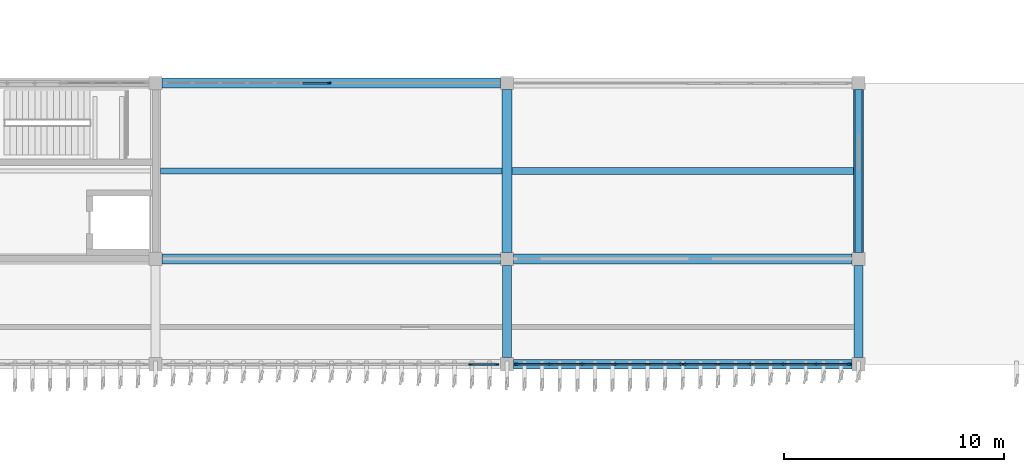
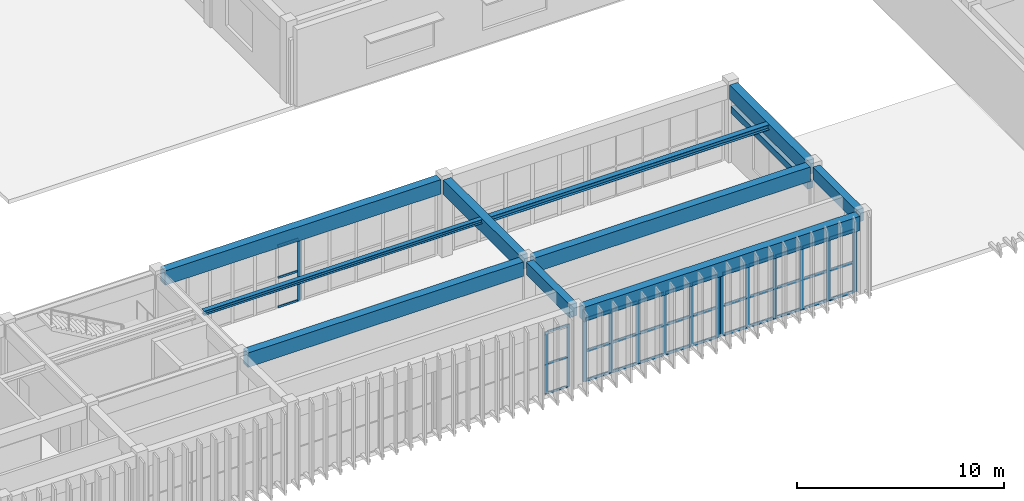
# One storey, part 36 of 76: 51 members, 11 beams, 4 elements without a shape of their own.
"""IFC4 building model written with IfcOpenShell, lengths in metres."""

from ifc_helpers import new_model, si_unit, direction, frame, origin, origin_2d, place, context, subcontext, project, spatial, rectangle, i_section, extrude, material, layer, layer_set, material_profile, profile_set, type_object, element, aggregate, save


model = new_model("IFC4")

# Units and contexts
model_context = context("Model", 3, precision=1e-05, world=origin(), true_north=direction((0.0, 1.0)))
body_context = subcontext(model_context, "Body", "Model", "MODEL_VIEW")
ifc_project = project(units=[si_unit("LENGTHUNIT", "METRE"), si_unit("AREAUNIT", "SQUARE_METRE"), si_unit("VOLUMEUNIT", "CUBIC_METRE"), si_unit("PLANEANGLEUNIT", "RADIAN"), si_unit("MASSUNIT", "GRAM", prefix="KILO")], contexts=[model_context])

# Site, building, storey
site_placement = place(None, origin())
site = spatial("IfcSite", under=ifc_project, at=site_placement, CompositionType="ELEMENT")
building_placement = place(site_placement, origin())
building = spatial("IfcBuilding", under=site, at=building_placement, Name="Cinchona Park Media Centre", CompositionType="ELEMENT")
storey_placement = place(building_placement, frame((0.0, 0.0, 15.60009765625)))
storey = spatial("IfcBuildingStorey", under=building, at=storey_placement, Name="L03", CompositionType="ELEMENT", Elevation=15.60009765625)

# Beams
ifc_material_1 = material(Name="Concrete C35/45", Category="concrete")
ifc_material_profile_1 = material_profile(ifc_material_1, rectangle(XDim=0.39990234375, YDim=0.75, at=origin_2d()), Name="RB 400X750")
ifc_profile_set_1 = profile_set([ifc_material_profile_1], Name="Concrete C35/45")
beam_type_1 = type_object("IfcBeamType", Name="BEAM-B01-RB400X750", PredefinedType="BEAM", material=ifc_profile_set_1)
for number, where, z_axis, x_axis, name in (
    (1, (110.800048828125, 75.10009765625, 4.204833984375), (0.0, 1.0, 0.0), (-1.0, 0.0, 0.0), "Girder B01 L03"),
    (2, (126.800048828125, 75.10009765625, 4.204833984375), (0.0, 1.0, 0.0), (-1.0, 0.0, 0.0), "Girder B01 L03"),
):
    element("IfcBeam", number, at=place(storey_placement, frame(where, z_axis=z_axis, x_axis=x_axis)), inside=storey, type_object=beam_type_1, Name=name, PredefinedType="BEAM", context=body_context, shape_type="SweptSolid", body=[
        extrude(rectangle(XDim=0.39990234375, YDim=0.75, at=origin_2d()), origin(), (0.0, 0.0, 1.0), 4.199951171875),
    ])
ifc_material_2 = material(Name="Concrete C35/45", Category="concrete")
ifc_material_profile_2 = material_profile(ifc_material_2, rectangle(XDim=0.449951171875, YDim=0.85009765625, at=origin_2d()), Name="RB 450X850")
ifc_profile_set_2 = profile_set([ifc_material_profile_2], Name="Concrete C35/45")
beam_type_2 = type_object("IfcBeamType", Name="BEAM-B02-RB450X850", PredefinedType="BEAM", material=ifc_profile_set_2)
for number, where, z_axis, x_axis, name in (
    (3, (111.10009765625, 74.800048828125, 4.15478515625), (1.0, 0.0, 0.0), (0.0, 1.0, 0.0), "Beam B02 L03"),
    (4, (95.10009765625, 79.60009765625, 4.15478515625), (1.0, 0.0, 0.0), (0.0, 1.0, 0.0), "Beam B02 L03"),
    (5, (111.10009765625, 79.60009765625, 4.15478515625), (1.0, 0.0, 0.0), (0.0, 1.0, 0.0), "Beam B02 L03"),
    (6, (95.10009765625, 87.60009765625, 4.15478515625), (1.0, 0.0, 0.0), (0.0, 1.0, 0.0), "Beam B02 L03"),
):
    element("IfcBeam", number, at=place(storey_placement, frame(where, z_axis=z_axis, x_axis=x_axis)), inside=storey, type_object=beam_type_2, Name=name, PredefinedType="BEAM", context=body_context, shape_type="SweptSolid", body=[
        extrude(rectangle(XDim=0.449951171875, YDim=0.85009765625, at=origin_2d()), origin(), (0.0, 0.0, 1.0), 15.39990234375),
    ])
for number, where, z_axis, x_axis, name in (
    (7, (110.800048828125, 79.89990234375, 4.15478515625), (0.0, 1.0, 0.0), (-1.0, 0.0, 0.0), "Girder B02 L03"),
    (8, (126.800048828125, 79.89990234375, 4.15478515625), (0.0, 1.0, 0.0), (-1.0, 0.0, 0.0), "Girder B02 L03"),
):
    element("IfcBeam", number, at=place(storey_placement, frame(where, z_axis=z_axis, x_axis=x_axis)), inside=storey, type_object=beam_type_2, Name=name, PredefinedType="BEAM", context=body_context, shape_type="SweptSolid", body=[
        extrude(rectangle(XDim=0.449951171875, YDim=0.85009765625, at=origin_2d()), origin(), (0.0, 0.0, 1.0), 7.400146484375),
    ])
ifc_material_3 = material(Name="Steel S355", Category="steel")
ifc_material_profile_3 = material_profile(ifc_material_3, i_section(OverallWidth=0.304931640625, OverallDepth=0.30810546875, WebThickness=0.010009765625, FlangeThickness=0.015380859375, at=origin_2d()), Name="W310X97")
ifc_profile_set_3 = profile_set([ifc_material_profile_3], Name="Steel S355")
beam_type_3 = type_object("IfcBeamType", Name="BEAM-J02-W310X97", PredefinedType="JOIST", material=ifc_profile_set_3)
beam_1_placement = place(storey_placement, frame((111.02490234375, 83.60009765625, 4.42578125), z_axis=(1.0, 0.0, 0.0), x_axis=(0.0, 1.0, 0.0)))
element("IfcBeam", 9, at=beam_1_placement, inside=storey, type_object=beam_type_3, Name="Floor Joist J02 L03", PredefinedType="JOIST", context=body_context, shape_type="SweptSolid", body=[
    extrude(i_section(OverallWidth=0.304931640625, OverallDepth=0.30810546875, WebThickness=0.010009765625, FlangeThickness=0.015380859375, at=origin_2d()), origin(), (0.0, 0.0, 1.0), 15.550048828125),
])
ifc_material_4 = material(Name="Steel S355", Category="steel")
ifc_material_profile_4 = material_profile(ifc_material_4, i_section(OverallWidth=0.25390625, OverallDepth=0.2529296875, WebThickness=0.008544921875, FlangeThickness=0.01416015625, at=origin_2d()), Name="W250X73")
ifc_profile_set_4 = profile_set([ifc_material_profile_4], Name="Steel S355")
beam_type_4 = type_object("IfcBeamType", Name="BEAM-J04-W250X73", PredefinedType="JOIST", material=ifc_profile_set_4)
beam_2_placement = place(storey_placement, frame((95.02490234375, 83.60009765625, 4.453369140625), z_axis=(1.0, 0.0, 0.0), x_axis=(0.0, 1.0, 0.0)))
element("IfcBeam", 10, at=beam_2_placement, inside=storey, type_object=beam_type_4, Name="Floor Joist J04 L03", PredefinedType="JOIST", context=body_context, shape_type="SweptSolid", body=[
    extrude(i_section(OverallWidth=0.25390625, OverallDepth=0.2529296875, WebThickness=0.008544921875, FlangeThickness=0.01416015625, at=origin_2d()), origin(), (0.0, 0.0, 1.0), 15.550048828125),
])
ifc_material_5 = material(Name="Concrete C35/45", Category="concrete")
ifc_material_profile_5 = material_profile(ifc_material_5, rectangle(XDim=0.300048828125, YDim=0.39990234375, at=origin_2d()), Name="RL 300X400")
ifc_profile_set_5 = profile_set([ifc_material_profile_5], Name="Concrete C35/45")
beam_type_5 = type_object("IfcBeamType", Name="BEAM-LN02-RL300X400", PredefinedType="LINTEL", material=ifc_profile_set_5)
beam_3_placement = place(storey_placement, frame((126.800048828125, 87.320068359375, 3.099853515625), z_axis=(0.0, -1.0, 0.0), x_axis=(1.0, 0.0, 0.0)))
element("IfcBeam", 11, at=beam_3_placement, inside=storey, type_object=beam_type_5, Name="Window Lintel LN02", PredefinedType="LINTEL", context=body_context, shape_type="SweptSolid", body=[
    extrude(rectangle(XDim=0.300048828125, YDim=0.39990234375, at=origin_2d()), origin(), (0.0, 0.0, 1.0), 7.440185546875),
])

# Curtain wall, member
ifc_material_6 = material(Name="Aluminium Curtain Wall Framing", Category="aluminium")
ifc_layer_1 = layer(ifc_material_6, 0.22509765625)
ifc_layer_set_1 = layer_set([ifc_layer_1], Name="Aluminium Curtain Wall Framing")
curtain_wall_type_1 = type_object("IfcCurtainWallType", Name="CW-CW04", PredefinedType="USERDEFINED", material=ifc_layer_set_1)
curtain_wall_1_placement = place(storey_placement, origin())
curtain_wall_1 = element("IfcCurtainWall", 12, at=curtain_wall_1_placement, inside=storey, type_object=curtain_wall_type_1, Name="Curtain Wall CW04 L03", ObjectType="UNITISED CURTAIN WALL", PredefinedType="USERDEFINED")
ifc_material_7 = material(Name="Anodised Aluminium Alloy 6063-T6", Category="aluminium")
ifc_material_profile_6 = material_profile(ifc_material_7, rectangle(XDim=0.06494140625, YDim=0.159912109375, at=origin_2d()), Name="MUL-65X160")
ifc_profile_set_6 = profile_set([ifc_material_profile_6], Name="Anodised Aluminium Alloy 6063-T6")
member_type_1 = type_object("IfcMemberType", Name="MULLION-MUL01", PredefinedType="MULLION", material=ifc_profile_set_6)
member_1_placement = place(storey_placement, frame((102.6875, 87.60009765625, 0.0498046875), z_axis=(0.0, 0.0, 1.0), x_axis=(0.0, 1.0, 0.0)))
member_1 = element("IfcMember", 13, at=member_1_placement, type_object=member_type_1, Name="CW04 mullion 7", PredefinedType="MULLION", context=body_context, shape_type="SweptSolid", body=[
    extrude(rectangle(XDim=0.06494140625, YDim=0.159912109375, at=origin_2d()), origin(), (0.0, 0.0, 1.0), 3.68017578125),
])

# Curtain wall, members
curtain_wall_2_placement = place(storey_placement, origin())
curtain_wall_2 = element("IfcCurtainWall", 14, at=curtain_wall_2_placement, inside=storey, type_object=curtain_wall_type_1, Name="Curtain Wall CW04 L03", ObjectType="UNITISED CURTAIN WALL", PredefinedType="USERDEFINED")
member_2_placement = place(storey_placement, frame((110.347412109375, 74.800048828125, 0.0498046875), z_axis=(0.0, 0.0, 1.0), x_axis=(0.0, -1.0, 0.0)))
member_2 = element("IfcMember", 15, at=member_2_placement, type_object=member_type_1, Name="CW04 mullion 1", PredefinedType="MULLION", context=body_context, shape_type="SweptSolid", body=[
    extrude(rectangle(XDim=0.06494140625, YDim=0.159912109375, at=origin_2d()), origin(), (0.0, 0.0, 1.0), 3.68017578125),
])
member_3_placement = place(storey_placement, frame((109.1298828125, 74.800048828125, 0.0498046875), z_axis=(0.0, 0.0, 1.0), x_axis=(0.0, -1.0, 0.0)))
member_3 = element("IfcMember", 16, at=member_3_placement, type_object=member_type_1, Name="CW04 mullion 2", PredefinedType="MULLION", context=body_context, shape_type="SweptSolid", body=[
    extrude(rectangle(XDim=0.06494140625, YDim=0.159912109375, at=origin_2d()), origin(), (0.0, 0.0, 1.0), 3.68017578125),
])

ifc_material_8 = material(Name="Aluminium Curtain Wall Framing", Category="aluminium")
ifc_layer_2 = layer(ifc_material_8, 0.2548828125)
ifc_layer_set_2 = layer_set([ifc_layer_2], Name="Aluminium Curtain Wall Framing")
curtain_wall_type_2 = type_object("IfcCurtainWallType", Name="CW-CW06", PredefinedType="USERDEFINED", material=ifc_layer_set_2)
curtain_wall_3_placement = place(storey_placement, origin())
curtain_wall_3 = element("IfcCurtainWall", 17, at=curtain_wall_3_placement, inside=storey, type_object=curtain_wall_type_2, Name="Curtain Wall CW06 L03", ObjectType="UNITISED CURTAIN WALL", PredefinedType="USERDEFINED")
ifc_material_9 = material(Name="Anodised Aluminium Alloy 6063-T6", Category="aluminium")
ifc_material_profile_7 = material_profile(ifc_material_9, rectangle(XDim=0.074951171875, YDim=0.2099609375, at=origin_2d()), Name="MUL-75X210")
ifc_profile_set_7 = profile_set([ifc_material_profile_7], Name="Anodised Aluminium Alloy 6063-T6")
member_type_2 = type_object("IfcMemberType", Name="MULLION-MUL03", PredefinedType="MULLION", material=ifc_profile_set_7)
member_4_placement = place(storey_placement, frame((126.342529296875, 74.800048828125, 0.0498046875), z_axis=(0.0, 0.0, 1.0), x_axis=(0.0, -1.0, 0.0)))
member_4 = element("IfcMember", 18, at=member_4_placement, type_object=member_type_2, Name="CW06 mullion 1", PredefinedType="MULLION", context=body_context, shape_type="SweptSolid", body=[
    extrude(rectangle(XDim=0.074951171875, YDim=0.2099609375, at=origin_2d()), origin(), (0.0, 0.0, 1.0), 3.68017578125),
])
member_5_placement = place(storey_placement, frame((124.8798828125, 74.800048828125, 0.0498046875), z_axis=(0.0, 0.0, 1.0), x_axis=(0.0, -1.0, 0.0)))
member_5 = element("IfcMember", 19, at=member_5_placement, type_object=member_type_2, Name="CW06 mullion 2", PredefinedType="MULLION", context=body_context, shape_type="SweptSolid", body=[
    extrude(rectangle(XDim=0.074951171875, YDim=0.2099609375, at=origin_2d()), origin(), (0.0, 0.0, 1.0), 3.68017578125),
])
member_6_placement = place(storey_placement, frame((123.3798828125, 74.800048828125, 0.0498046875), z_axis=(0.0, 0.0, 1.0), x_axis=(0.0, -1.0, 0.0)))
member_6 = element("IfcMember", 20, at=member_6_placement, type_object=member_type_2, Name="CW06 mullion 3", PredefinedType="MULLION", context=body_context, shape_type="SweptSolid", body=[
    extrude(rectangle(XDim=0.074951171875, YDim=0.2099609375, at=origin_2d()), origin(), (0.0, 0.0, 1.0), 3.68017578125),
])
member_7_placement = place(storey_placement, frame((121.8798828125, 74.800048828125, 0.0498046875), z_axis=(0.0, 0.0, 1.0), x_axis=(0.0, -1.0, 0.0)))
member_7 = element("IfcMember", 21, at=member_7_placement, type_object=member_type_2, Name="CW06 mullion 4", PredefinedType="MULLION", context=body_context, shape_type="SweptSolid", body=[
    extrude(rectangle(XDim=0.074951171875, YDim=0.2099609375, at=origin_2d()), origin(), (0.0, 0.0, 1.0), 3.68017578125),
])
member_8_placement = place(storey_placement, frame((120.3798828125, 74.800048828125, 0.0498046875), z_axis=(0.0, 0.0, 1.0), x_axis=(0.0, -1.0, 0.0)))
member_8 = element("IfcMember", 22, at=member_8_placement, type_object=member_type_2, Name="CW06 mullion 5", PredefinedType="MULLION", context=body_context, shape_type="SweptSolid", body=[
    extrude(rectangle(XDim=0.074951171875, YDim=0.2099609375, at=origin_2d()), origin(), (0.0, 0.0, 1.0), 3.68017578125),
])
member_9_placement = place(storey_placement, frame((118.91748046875, 74.800048828125, 0.0498046875), z_axis=(0.0, 0.0, 1.0), x_axis=(0.0, -1.0, 0.0)))
member_9 = element("IfcMember", 23, at=member_9_placement, type_object=member_type_2, Name="CW06 mullion 6", PredefinedType="MULLION", context=body_context, shape_type="SweptSolid", body=[
    extrude(rectangle(XDim=0.074951171875, YDim=0.2099609375, at=origin_2d()), origin(), (0.0, 0.0, 1.0), 3.68017578125),
])

ifc_material_10 = material(Name="Aluminium Curtain Wall Framing", Category="aluminium")
ifc_layer_3 = layer(ifc_material_10, 0.27001953125)
ifc_layer_set_3 = layer_set([ifc_layer_3], Name="Aluminium Curtain Wall Framing")
curtain_wall_type_3 = type_object("IfcCurtainWallType", Name="CW-CW07", PredefinedType="USERDEFINED", material=ifc_layer_set_3)
curtain_wall_4_placement = place(storey_placement, origin())
curtain_wall_4 = element("IfcCurtainWall", 24, at=curtain_wall_4_placement, inside=storey, type_object=curtain_wall_type_3, Name="Curtain Wall CW07 L03", ObjectType="UNITISED CURTAIN WALL", PredefinedType="USERDEFINED")
member_10_placement = place(storey_placement, frame((118.6826171875, 74.800048828125, 0.0498046875), z_axis=(0.0, 0.0, 1.0), x_axis=(0.0, -1.0, 0.0)))
member_10 = element("IfcMember", 25, at=member_10_placement, type_object=member_type_2, Name="CW07 mullion 1", PredefinedType="MULLION", context=body_context, shape_type="SweptSolid", body=[
    extrude(rectangle(XDim=0.074951171875, YDim=0.2099609375, at=origin_2d()), origin(), (0.0, 0.0, 1.0), 3.68017578125),
])
member_11_placement = place(storey_placement, frame((117.219970703125, 74.800048828125, 0.0498046875), z_axis=(0.0, 0.0, 1.0), x_axis=(0.0, -1.0, 0.0)))
member_11 = element("IfcMember", 26, at=member_11_placement, type_object=member_type_2, Name="CW07 mullion 2", PredefinedType="MULLION", context=body_context, shape_type="SweptSolid", body=[
    extrude(rectangle(XDim=0.074951171875, YDim=0.2099609375, at=origin_2d()), origin(), (0.0, 0.0, 1.0), 3.68017578125),
])
member_12_placement = place(storey_placement, frame((115.719970703125, 74.800048828125, 0.0498046875), z_axis=(0.0, 0.0, 1.0), x_axis=(0.0, -1.0, 0.0)))
member_12 = element("IfcMember", 27, at=member_12_placement, type_object=member_type_2, Name="CW07 mullion 3", PredefinedType="MULLION", context=body_context, shape_type="SweptSolid", body=[
    extrude(rectangle(XDim=0.074951171875, YDim=0.2099609375, at=origin_2d()), origin(), (0.0, 0.0, 1.0), 3.68017578125),
])
member_13_placement = place(storey_placement, frame((114.219970703125, 74.800048828125, 0.0498046875), z_axis=(0.0, 0.0, 1.0), x_axis=(0.0, -1.0, 0.0)))
member_13 = element("IfcMember", 28, at=member_13_placement, type_object=member_type_2, Name="CW07 mullion 4", PredefinedType="MULLION", context=body_context, shape_type="SweptSolid", body=[
    extrude(rectangle(XDim=0.074951171875, YDim=0.2099609375, at=origin_2d()), origin(), (0.0, 0.0, 1.0), 3.68017578125),
])
member_14_placement = place(storey_placement, frame((112.719970703125, 74.800048828125, 0.0498046875), z_axis=(0.0, 0.0, 1.0), x_axis=(0.0, -1.0, 0.0)))
member_14 = element("IfcMember", 29, at=member_14_placement, type_object=member_type_2, Name="CW07 mullion 5", PredefinedType="MULLION", context=body_context, shape_type="SweptSolid", body=[
    extrude(rectangle(XDim=0.074951171875, YDim=0.2099609375, at=origin_2d()), origin(), (0.0, 0.0, 1.0), 3.68017578125),
])
member_15_placement = place(storey_placement, frame((111.257568359375, 74.800048828125, 0.0498046875), z_axis=(0.0, 0.0, 1.0), x_axis=(0.0, -1.0, 0.0)))
member_15 = element("IfcMember", 30, at=member_15_placement, type_object=member_type_2, Name="CW07 mullion 6", PredefinedType="MULLION", context=body_context, shape_type="SweptSolid", body=[
    extrude(rectangle(XDim=0.074951171875, YDim=0.2099609375, at=origin_2d()), origin(), (0.0, 0.0, 1.0), 3.68017578125),
])

# Member
ifc_material_11 = material(Name="Anodised Aluminium Alloy 6063-T6", Category="aluminium")
ifc_material_profile_8 = material_profile(ifc_material_11, rectangle(XDim=0.06494140625, YDim=0.1201171875, at=origin_2d()), Name="TRN-65X120")
ifc_profile_set_8 = profile_set([ifc_material_profile_8], Name="Anodised Aluminium Alloy 6063-T6")
member_type_3 = type_object("IfcMemberType", Name="TRANSOM-TRN01", PredefinedType="USERDEFINED", material=ifc_profile_set_8)
member_16_placement = place(storey_placement, frame((101.50244140625, 87.60009765625, 0.08251953125), z_axis=(1.0, 0.0, 0.0), x_axis=(0.0, 1.0, 0.0)))
member_16 = element("IfcMember", 31, at=member_16_placement, type_object=member_type_3, Name="CW04 transom 6.1", ObjectType="TRANSOM", PredefinedType="USERDEFINED", context=body_context, shape_type="SweptSolid", body=[
    extrude(rectangle(XDim=0.06494140625, YDim=0.1201171875, at=origin_2d()), origin(), (0.0, 0.0, 1.0), 1.152587890625),
])

member_17_placement = place(storey_placement, frame((101.50244140625, 87.60009765625, 1.81591796875), z_axis=(1.0, 0.0, 0.0), x_axis=(0.0, 1.0, 0.0)))
member_17 = element("IfcMember", 32, at=member_17_placement, type_object=member_type_3, Name="CW04 transom 6.2", ObjectType="TRANSOM", PredefinedType="USERDEFINED", context=body_context, shape_type="SweptSolid", body=[
    extrude(rectangle(XDim=0.06494140625, YDim=0.1201171875, at=origin_2d()), origin(), (0.0, 0.0, 1.0), 1.152587890625),
])

member_18_placement = place(storey_placement, frame((101.50244140625, 87.60009765625, 3.697509765625), z_axis=(1.0, 0.0, 0.0), x_axis=(0.0, 1.0, 0.0)))
member_18 = element("IfcMember", 33, at=member_18_placement, type_object=member_type_3, Name="CW04 transom 6.3", ObjectType="TRANSOM", PredefinedType="USERDEFINED", context=body_context, shape_type="SweptSolid", body=[
    extrude(rectangle(XDim=0.06494140625, YDim=0.1201171875, at=origin_2d()), origin(), (0.0, 0.0, 1.0), 1.152587890625),
])

aggregate(curtain_wall_1, [member_1, member_16, member_17, member_18])

member_19_placement = place(storey_placement, frame((110.31494140625, 74.800048828125, 0.08251953125), z_axis=(-1.0, 0.0, 0.0), x_axis=(0.0, -1.0, 0.0)))
member_19 = element("IfcMember", 34, at=member_19_placement, type_object=member_type_3, Name="CW04 transom 1.1", ObjectType="TRANSOM", PredefinedType="USERDEFINED", context=body_context, shape_type="SweptSolid", body=[
    extrude(rectangle(XDim=0.06494140625, YDim=0.1201171875, at=origin_2d()), origin(), (0.0, 0.0, 1.0), 1.15234375),
])

member_20_placement = place(storey_placement, frame((110.31494140625, 74.800048828125, 1.81591796875), z_axis=(-1.0, 0.0, 0.0), x_axis=(0.0, -1.0, 0.0)))
member_20 = element("IfcMember", 35, at=member_20_placement, type_object=member_type_3, Name="CW04 transom 1.2", ObjectType="TRANSOM", PredefinedType="USERDEFINED", context=body_context, shape_type="SweptSolid", body=[
    extrude(rectangle(XDim=0.06494140625, YDim=0.1201171875, at=origin_2d()), origin(), (0.0, 0.0, 1.0), 1.15234375),
])

member_21_placement = place(storey_placement, frame((110.31494140625, 74.800048828125, 3.697509765625), z_axis=(-1.0, 0.0, 0.0), x_axis=(0.0, -1.0, 0.0)))
member_21 = element("IfcMember", 36, at=member_21_placement, type_object=member_type_3, Name="CW04 transom 1.3", ObjectType="TRANSOM", PredefinedType="USERDEFINED", context=body_context, shape_type="SweptSolid", body=[
    extrude(rectangle(XDim=0.06494140625, YDim=0.1201171875, at=origin_2d()), origin(), (0.0, 0.0, 1.0), 1.15234375),
])

aggregate(curtain_wall_2, [member_2, member_3, member_19, member_20, member_21])

ifc_material_12 = material(Name="Anodised Aluminium Alloy 6063-T6", Category="aluminium")
ifc_material_profile_9 = material_profile(ifc_material_12, rectangle(XDim=0.074951171875, YDim=0.159912109375, at=origin_2d()), Name="TRN-75X160")
ifc_profile_set_9 = profile_set([ifc_material_profile_9], Name="Anodised Aluminium Alloy 6063-T6")
member_type_4 = type_object("IfcMemberType", Name="TRANSOM-TRN03", PredefinedType="USERDEFINED", material=ifc_profile_set_9)
member_22_placement = place(storey_placement, frame((126.304931640625, 74.800048828125, 0.08740234375), z_axis=(-1.0, 0.0, 0.0), x_axis=(0.0, -1.0, 0.0)))
member_22 = element("IfcMember", 37, at=member_22_placement, type_object=member_type_4, Name="CW06 transom 1.1", ObjectType="TRANSOM", PredefinedType="USERDEFINED", context=body_context, shape_type="SweptSolid", body=[
    extrude(rectangle(XDim=0.074951171875, YDim=0.159912109375, at=origin_2d()), origin(), (0.0, 0.0, 1.0), 1.387451171875),
])

member_23_placement = place(storey_placement, frame((126.304931640625, 74.800048828125, 1.81591796875), z_axis=(-1.0, 0.0, 0.0), x_axis=(0.0, -1.0, 0.0)))
member_23 = element("IfcMember", 38, at=member_23_placement, type_object=member_type_4, Name="CW06 transom 1.2", ObjectType="TRANSOM", PredefinedType="USERDEFINED", context=body_context, shape_type="SweptSolid", body=[
    extrude(rectangle(XDim=0.074951171875, YDim=0.159912109375, at=origin_2d()), origin(), (0.0, 0.0, 1.0), 1.387451171875),
])

member_24_placement = place(storey_placement, frame((126.304931640625, 74.800048828125, 3.6923828125), z_axis=(-1.0, 0.0, 0.0), x_axis=(0.0, -1.0, 0.0)))
member_24 = element("IfcMember", 39, at=member_24_placement, type_object=member_type_4, Name="CW06 transom 1.3", ObjectType="TRANSOM", PredefinedType="USERDEFINED", context=body_context, shape_type="SweptSolid", body=[
    extrude(rectangle(XDim=0.074951171875, YDim=0.159912109375, at=origin_2d()), origin(), (0.0, 0.0, 1.0), 1.387451171875),
])

member_25_placement = place(storey_placement, frame((124.842529296875, 74.800048828125, 0.08740234375), z_axis=(-1.0, 0.0, 0.0), x_axis=(0.0, -1.0, 0.0)))
member_25 = element("IfcMember", 40, at=member_25_placement, type_object=member_type_4, Name="CW06 transom 2.1", ObjectType="TRANSOM", PredefinedType="USERDEFINED", context=body_context, shape_type="SweptSolid", body=[
    extrude(rectangle(XDim=0.074951171875, YDim=0.159912109375, at=origin_2d()), origin(), (0.0, 0.0, 1.0), 1.425048828125),
])

member_26_placement = place(storey_placement, frame((124.842529296875, 74.800048828125, 1.81591796875), z_axis=(-1.0, 0.0, 0.0), x_axis=(0.0, -1.0, 0.0)))
member_26 = element("IfcMember", 41, at=member_26_placement, type_object=member_type_4, Name="CW06 transom 2.2", ObjectType="TRANSOM", PredefinedType="USERDEFINED", context=body_context, shape_type="SweptSolid", body=[
    extrude(rectangle(XDim=0.074951171875, YDim=0.159912109375, at=origin_2d()), origin(), (0.0, 0.0, 1.0), 1.425048828125),
])

member_27_placement = place(storey_placement, frame((124.842529296875, 74.800048828125, 3.6923828125), z_axis=(-1.0, 0.0, 0.0), x_axis=(0.0, -1.0, 0.0)))
member_27 = element("IfcMember", 42, at=member_27_placement, type_object=member_type_4, Name="CW06 transom 2.3", ObjectType="TRANSOM", PredefinedType="USERDEFINED", context=body_context, shape_type="SweptSolid", body=[
    extrude(rectangle(XDim=0.074951171875, YDim=0.159912109375, at=origin_2d()), origin(), (0.0, 0.0, 1.0), 1.425048828125),
])

member_28_placement = place(storey_placement, frame((123.342529296875, 74.800048828125, 0.08740234375), z_axis=(-1.0, 0.0, 0.0), x_axis=(0.0, -1.0, 0.0)))
member_28 = element("IfcMember", 43, at=member_28_placement, type_object=member_type_4, Name="CW06 transom 3.1", ObjectType="TRANSOM", PredefinedType="USERDEFINED", context=body_context, shape_type="SweptSolid", body=[
    extrude(rectangle(XDim=0.074951171875, YDim=0.159912109375, at=origin_2d()), origin(), (0.0, 0.0, 1.0), 1.425048828125),
])

member_29_placement = place(storey_placement, frame((123.342529296875, 74.800048828125, 1.81591796875), z_axis=(-1.0, 0.0, 0.0), x_axis=(0.0, -1.0, 0.0)))
member_29 = element("IfcMember", 44, at=member_29_placement, type_object=member_type_4, Name="CW06 transom 3.2", ObjectType="TRANSOM", PredefinedType="USERDEFINED", context=body_context, shape_type="SweptSolid", body=[
    extrude(rectangle(XDim=0.074951171875, YDim=0.159912109375, at=origin_2d()), origin(), (0.0, 0.0, 1.0), 1.425048828125),
])

member_30_placement = place(storey_placement, frame((123.342529296875, 74.800048828125, 3.6923828125), z_axis=(-1.0, 0.0, 0.0), x_axis=(0.0, -1.0, 0.0)))
member_30 = element("IfcMember", 45, at=member_30_placement, type_object=member_type_4, Name="CW06 transom 3.3", ObjectType="TRANSOM", PredefinedType="USERDEFINED", context=body_context, shape_type="SweptSolid", body=[
    extrude(rectangle(XDim=0.074951171875, YDim=0.159912109375, at=origin_2d()), origin(), (0.0, 0.0, 1.0), 1.425048828125),
])

member_31_placement = place(storey_placement, frame((121.842529296875, 74.800048828125, 0.08740234375), z_axis=(-1.0, 0.0, 0.0), x_axis=(0.0, -1.0, 0.0)))
member_31 = element("IfcMember", 46, at=member_31_placement, type_object=member_type_4, Name="CW06 transom 4.1", ObjectType="TRANSOM", PredefinedType="USERDEFINED", context=body_context, shape_type="SweptSolid", body=[
    extrude(rectangle(XDim=0.074951171875, YDim=0.159912109375, at=origin_2d()), origin(), (0.0, 0.0, 1.0), 1.425048828125),
])

member_32_placement = place(storey_placement, frame((121.842529296875, 74.800048828125, 1.81591796875), z_axis=(-1.0, 0.0, 0.0), x_axis=(0.0, -1.0, 0.0)))
member_32 = element("IfcMember", 47, at=member_32_placement, type_object=member_type_4, Name="CW06 transom 4.2", ObjectType="TRANSOM", PredefinedType="USERDEFINED", context=body_context, shape_type="SweptSolid", body=[
    extrude(rectangle(XDim=0.074951171875, YDim=0.159912109375, at=origin_2d()), origin(), (0.0, 0.0, 1.0), 1.425048828125),
])

member_33_placement = place(storey_placement, frame((121.842529296875, 74.800048828125, 3.6923828125), z_axis=(-1.0, 0.0, 0.0), x_axis=(0.0, -1.0, 0.0)))
member_33 = element("IfcMember", 48, at=member_33_placement, type_object=member_type_4, Name="CW06 transom 4.3", ObjectType="TRANSOM", PredefinedType="USERDEFINED", context=body_context, shape_type="SweptSolid", body=[
    extrude(rectangle(XDim=0.074951171875, YDim=0.159912109375, at=origin_2d()), origin(), (0.0, 0.0, 1.0), 1.425048828125),
])

member_34_placement = place(storey_placement, frame((120.342529296875, 74.800048828125, 0.08740234375), z_axis=(-1.0, 0.0, 0.0), x_axis=(0.0, -1.0, 0.0)))
member_34 = element("IfcMember", 49, at=member_34_placement, type_object=member_type_4, Name="CW06 transom 5.1", ObjectType="TRANSOM", PredefinedType="USERDEFINED", context=body_context, shape_type="SweptSolid", body=[
    extrude(rectangle(XDim=0.074951171875, YDim=0.159912109375, at=origin_2d()), origin(), (0.0, 0.0, 1.0), 1.387451171875),
])

member_35_placement = place(storey_placement, frame((120.342529296875, 74.800048828125, 1.81591796875), z_axis=(-1.0, 0.0, 0.0), x_axis=(0.0, -1.0, 0.0)))
member_35 = element("IfcMember", 50, at=member_35_placement, type_object=member_type_4, Name="CW06 transom 5.2", ObjectType="TRANSOM", PredefinedType="USERDEFINED", context=body_context, shape_type="SweptSolid", body=[
    extrude(rectangle(XDim=0.074951171875, YDim=0.159912109375, at=origin_2d()), origin(), (0.0, 0.0, 1.0), 1.387451171875),
])

member_36_placement = place(storey_placement, frame((120.342529296875, 74.800048828125, 3.6923828125), z_axis=(-1.0, 0.0, 0.0), x_axis=(0.0, -1.0, 0.0)))
member_36 = element("IfcMember", 51, at=member_36_placement, type_object=member_type_4, Name="CW06 transom 5.3", ObjectType="TRANSOM", PredefinedType="USERDEFINED", context=body_context, shape_type="SweptSolid", body=[
    extrude(rectangle(XDim=0.074951171875, YDim=0.159912109375, at=origin_2d()), origin(), (0.0, 0.0, 1.0), 1.387451171875),
])

aggregate(curtain_wall_3, [member_4, member_5, member_6, member_7, member_8, member_9, member_22, member_23, member_24, member_25, member_26, member_27, member_28, member_29, member_30, member_31, member_32, member_33, member_34, member_35, member_36])

member_37_placement = place(storey_placement, frame((118.64501953125, 74.800048828125, 0.08740234375), z_axis=(-1.0, 0.0, 0.0), x_axis=(0.0, -1.0, 0.0)))
member_37 = element("IfcMember", 52, at=member_37_placement, type_object=member_type_4, Name="CW07 transom 1.1", ObjectType="TRANSOM", PredefinedType="USERDEFINED", context=body_context, shape_type="SweptSolid", body=[
    extrude(rectangle(XDim=0.074951171875, YDim=0.159912109375, at=origin_2d()), origin(), (0.0, 0.0, 1.0), 1.387451171875),
])

member_38_placement = place(storey_placement, frame((118.64501953125, 74.800048828125, 1.81591796875), z_axis=(-1.0, 0.0, 0.0), x_axis=(0.0, -1.0, 0.0)))
member_38 = element("IfcMember", 53, at=member_38_placement, type_object=member_type_4, Name="CW07 transom 1.2", ObjectType="TRANSOM", PredefinedType="USERDEFINED", context=body_context, shape_type="SweptSolid", body=[
    extrude(rectangle(XDim=0.074951171875, YDim=0.159912109375, at=origin_2d()), origin(), (0.0, 0.0, 1.0), 1.387451171875),
])

member_39_placement = place(storey_placement, frame((118.64501953125, 74.800048828125, 3.6923828125), z_axis=(-1.0, 0.0, 0.0), x_axis=(0.0, -1.0, 0.0)))
member_39 = element("IfcMember", 54, at=member_39_placement, type_object=member_type_4, Name="CW07 transom 1.3", ObjectType="TRANSOM", PredefinedType="USERDEFINED", context=body_context, shape_type="SweptSolid", body=[
    extrude(rectangle(XDim=0.074951171875, YDim=0.159912109375, at=origin_2d()), origin(), (0.0, 0.0, 1.0), 1.387451171875),
])

member_40_placement = place(storey_placement, frame((117.1826171875, 74.800048828125, 0.08740234375), z_axis=(-1.0, 0.0, 0.0), x_axis=(0.0, -1.0, 0.0)))
member_40 = element("IfcMember", 55, at=member_40_placement, type_object=member_type_4, Name="CW07 transom 2.1", ObjectType="TRANSOM", PredefinedType="USERDEFINED", context=body_context, shape_type="SweptSolid", body=[
    extrude(rectangle(XDim=0.074951171875, YDim=0.159912109375, at=origin_2d()), origin(), (0.0, 0.0, 1.0), 1.425048828125),
])

member_41_placement = place(storey_placement, frame((117.1826171875, 74.800048828125, 1.81591796875), z_axis=(-1.0, 0.0, 0.0), x_axis=(0.0, -1.0, 0.0)))
member_41 = element("IfcMember", 56, at=member_41_placement, type_object=member_type_4, Name="CW07 transom 2.2", ObjectType="TRANSOM", PredefinedType="USERDEFINED", context=body_context, shape_type="SweptSolid", body=[
    extrude(rectangle(XDim=0.074951171875, YDim=0.159912109375, at=origin_2d()), origin(), (0.0, 0.0, 1.0), 1.425048828125),
])

member_42_placement = place(storey_placement, frame((117.1826171875, 74.800048828125, 3.6923828125), z_axis=(-1.0, 0.0, 0.0), x_axis=(0.0, -1.0, 0.0)))
member_42 = element("IfcMember", 57, at=member_42_placement, type_object=member_type_4, Name="CW07 transom 2.3", ObjectType="TRANSOM", PredefinedType="USERDEFINED", context=body_context, shape_type="SweptSolid", body=[
    extrude(rectangle(XDim=0.074951171875, YDim=0.159912109375, at=origin_2d()), origin(), (0.0, 0.0, 1.0), 1.425048828125),
])

member_43_placement = place(storey_placement, frame((115.6826171875, 74.800048828125, 0.08740234375), z_axis=(-1.0, 0.0, 0.0), x_axis=(0.0, -1.0, 0.0)))
member_43 = element("IfcMember", 58, at=member_43_placement, type_object=member_type_4, Name="CW07 transom 3.1", ObjectType="TRANSOM", PredefinedType="USERDEFINED", context=body_context, shape_type="SweptSolid", body=[
    extrude(rectangle(XDim=0.074951171875, YDim=0.159912109375, at=origin_2d()), origin(), (0.0, 0.0, 1.0), 1.425048828125),
])

member_44_placement = place(storey_placement, frame((115.6826171875, 74.800048828125, 1.81591796875), z_axis=(-1.0, 0.0, 0.0), x_axis=(0.0, -1.0, 0.0)))
member_44 = element("IfcMember", 59, at=member_44_placement, type_object=member_type_4, Name="CW07 transom 3.2", ObjectType="TRANSOM", PredefinedType="USERDEFINED", context=body_context, shape_type="SweptSolid", body=[
    extrude(rectangle(XDim=0.074951171875, YDim=0.159912109375, at=origin_2d()), origin(), (0.0, 0.0, 1.0), 1.425048828125),
])

member_45_placement = place(storey_placement, frame((115.6826171875, 74.800048828125, 3.6923828125), z_axis=(-1.0, 0.0, 0.0), x_axis=(0.0, -1.0, 0.0)))
member_45 = element("IfcMember", 60, at=member_45_placement, type_object=member_type_4, Name="CW07 transom 3.3", ObjectType="TRANSOM", PredefinedType="USERDEFINED", context=body_context, shape_type="SweptSolid", body=[
    extrude(rectangle(XDim=0.074951171875, YDim=0.159912109375, at=origin_2d()), origin(), (0.0, 0.0, 1.0), 1.425048828125),
])

member_46_placement = place(storey_placement, frame((114.1826171875, 74.800048828125, 0.08740234375), z_axis=(-1.0, 0.0, 0.0), x_axis=(0.0, -1.0, 0.0)))
member_46 = element("IfcMember", 61, at=member_46_placement, type_object=member_type_4, Name="CW07 transom 4.1", ObjectType="TRANSOM", PredefinedType="USERDEFINED", context=body_context, shape_type="SweptSolid", body=[
    extrude(rectangle(XDim=0.074951171875, YDim=0.159912109375, at=origin_2d()), origin(), (0.0, 0.0, 1.0), 1.425048828125),
])

member_47_placement = place(storey_placement, frame((114.1826171875, 74.800048828125, 1.81591796875), z_axis=(-1.0, 0.0, 0.0), x_axis=(0.0, -1.0, 0.0)))
member_47 = element("IfcMember", 62, at=member_47_placement, type_object=member_type_4, Name="CW07 transom 4.2", ObjectType="TRANSOM", PredefinedType="USERDEFINED", context=body_context, shape_type="SweptSolid", body=[
    extrude(rectangle(XDim=0.074951171875, YDim=0.159912109375, at=origin_2d()), origin(), (0.0, 0.0, 1.0), 1.425048828125),
])

member_48_placement = place(storey_placement, frame((114.1826171875, 74.800048828125, 3.6923828125), z_axis=(-1.0, 0.0, 0.0), x_axis=(0.0, -1.0, 0.0)))
member_48 = element("IfcMember", 63, at=member_48_placement, type_object=member_type_4, Name="CW07 transom 4.3", ObjectType="TRANSOM", PredefinedType="USERDEFINED", context=body_context, shape_type="SweptSolid", body=[
    extrude(rectangle(XDim=0.074951171875, YDim=0.159912109375, at=origin_2d()), origin(), (0.0, 0.0, 1.0), 1.425048828125),
])

member_49_placement = place(storey_placement, frame((112.6826171875, 74.800048828125, 0.08740234375), z_axis=(-1.0, 0.0, 0.0), x_axis=(0.0, -1.0, 0.0)))
member_49 = element("IfcMember", 64, at=member_49_placement, type_object=member_type_4, Name="CW07 transom 5.1", ObjectType="TRANSOM", PredefinedType="USERDEFINED", context=body_context, shape_type="SweptSolid", body=[
    extrude(rectangle(XDim=0.074951171875, YDim=0.159912109375, at=origin_2d()), origin(), (0.0, 0.0, 1.0), 1.3876953125),
])

member_50_placement = place(storey_placement, frame((112.6826171875, 74.800048828125, 1.81591796875), z_axis=(-1.0, 0.0, 0.0), x_axis=(0.0, -1.0, 0.0)))
member_50 = element("IfcMember", 65, at=member_50_placement, type_object=member_type_4, Name="CW07 transom 5.2", ObjectType="TRANSOM", PredefinedType="USERDEFINED", context=body_context, shape_type="SweptSolid", body=[
    extrude(rectangle(XDim=0.074951171875, YDim=0.159912109375, at=origin_2d()), origin(), (0.0, 0.0, 1.0), 1.3876953125),
])

member_51_placement = place(storey_placement, frame((112.6826171875, 74.800048828125, 3.6923828125), z_axis=(-1.0, 0.0, 0.0), x_axis=(0.0, -1.0, 0.0)))
member_51 = element("IfcMember", 66, at=member_51_placement, type_object=member_type_4, Name="CW07 transom 5.3", ObjectType="TRANSOM", PredefinedType="USERDEFINED", context=body_context, shape_type="SweptSolid", body=[
    extrude(rectangle(XDim=0.074951171875, YDim=0.159912109375, at=origin_2d()), origin(), (0.0, 0.0, 1.0), 1.3876953125),
])

aggregate(curtain_wall_4, [member_10, member_11, member_12, member_13, member_14, member_15, member_37, member_38, member_39, member_40, member_41, member_42, member_43, member_44, member_45, member_46, member_47, member_48, member_49, member_50, member_51])

save(model, "model.ifc")
